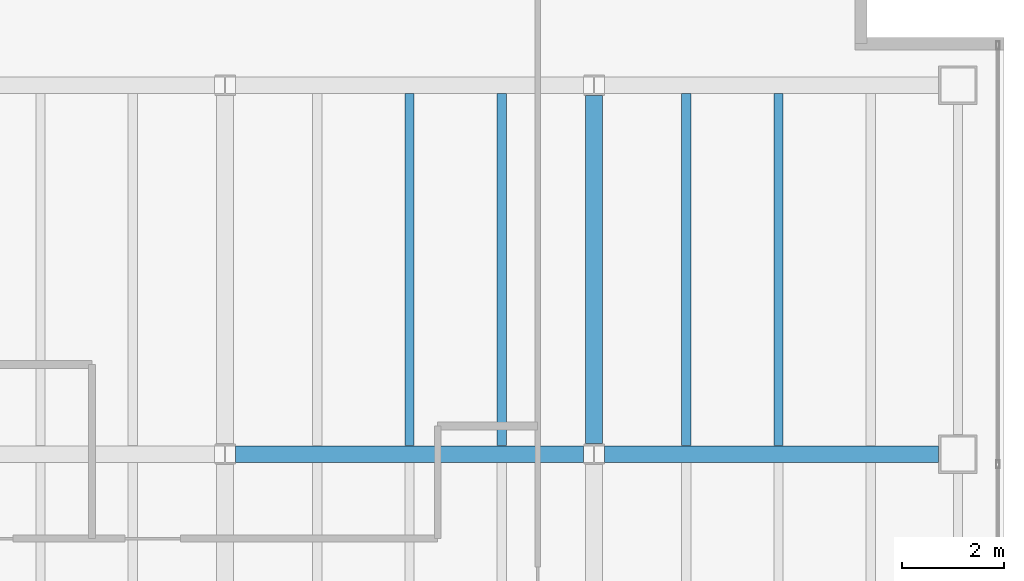
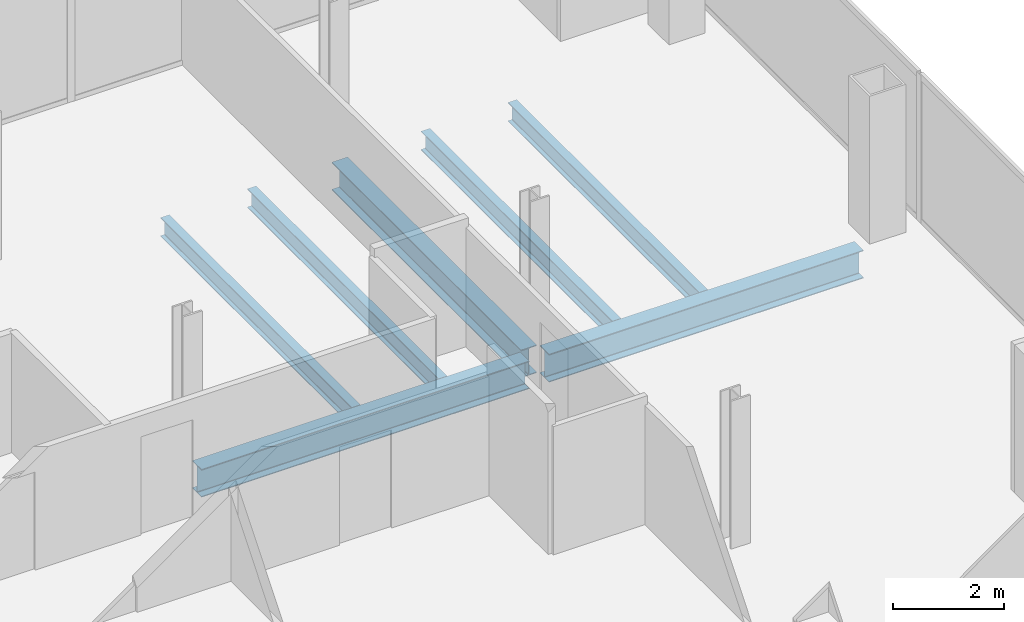
# One storey, part 13 of 23: 7 beams.
"""IFC4 building model written with IfcOpenShell, lengths in metres."""

from ifc_helpers import new_model, si_unit, direction, frame, origin, origin_2d, place, context, subcontext, project, spatial, i_section, extrude, material, material_profile, profile_set, type_object, element, save


model = new_model("IFC4")

# Units and contexts
model_context = context("Model", 3, precision=1e-05, world=origin(), true_north=direction((0.0, 1.0)))
body_context = subcontext(model_context, "Body", "Model", "MODEL_VIEW")
ifc_project = project(units=[si_unit("LENGTHUNIT", "METRE"), si_unit("AREAUNIT", "SQUARE_METRE"), si_unit("VOLUMEUNIT", "CUBIC_METRE"), si_unit("PLANEANGLEUNIT", "RADIAN"), si_unit("MASSUNIT", "GRAM", prefix="KILO")], contexts=[model_context])

# Site, building, storey
site_placement = place(None, origin())
site = spatial("IfcSite", under=ifc_project, at=site_placement, CompositionType="ELEMENT")
building_placement = place(site_placement, origin())
building = spatial("IfcBuilding", under=site, at=building_placement, Name="Cobrela Telecom Tower", CompositionType="ELEMENT")
storey_placement = place(building_placement, frame((0.0, 0.0, 222.25)))
storey = spatial("IfcBuildingStorey", under=building, at=storey_placement, Name="L57", CompositionType="ELEMENT", Elevation=222.25)

# Beams
ifc_material = material(Name="Steel ASTM A992 Grade 50", Category="steel")
ifc_material_profile_1 = material_profile(ifc_material, i_section(OverallWidth=0.324951171875, OverallDepth=0.612060546875, WebThickness=0.0126953125, FlangeThickness=0.01904296875, FilletRadius=0.014892578125, at=origin_2d()), Name="W24X104")
ifc_profile_set_1 = profile_set([ifc_material_profile_1], Name="Steel ASTM A992 Grade 50")
beam_type_1 = type_object("IfcBeamType", Name="BM-GIRD-07", PredefinedType="USERDEFINED", material=ifc_profile_set_1)
beam_1_placement = place(storey_placement, frame((29.00439453125, 14.39990234375, -0.56591796875), z_axis=(1.0, 0.0, 0.0), x_axis=(0.0, 1.0, 0.0)))
element("IfcBeam", 1, at=beam_1_placement, inside=storey, type_object=beam_type_1, Name="L57 Primary Girder X13", ObjectType="GIRDER", PredefinedType="USERDEFINED", context=body_context, shape_type="SweptSolid", body=[
    extrude(i_section(OverallWidth=0.324951171875, OverallDepth=0.612060546875, WebThickness=0.0126953125, FlangeThickness=0.01904296875, FilletRadius=0.014892578125, at=origin_2d()), origin(), (0.0, 0.0, 1.0), 6.791015625),
])
beam_2_placement = place(storey_placement, frame((36.20458984375, 14.39990234375, -0.56591796875), z_axis=(1.0, 0.0, 0.0), x_axis=(0.0, 1.0, 0.0)))
element("IfcBeam", 2, at=beam_2_placement, inside=storey, type_object=beam_type_1, Name="L57 Primary Girder X14", ObjectType="GIRDER", PredefinedType="USERDEFINED", context=body_context, shape_type="SweptSolid", body=[
    extrude(i_section(OverallWidth=0.324951171875, OverallDepth=0.612060546875, WebThickness=0.0126953125, FlangeThickness=0.01904296875, FilletRadius=0.014892578125, at=origin_2d()), origin(), (0.0, 0.0, 1.0), 6.515380859375),
])
beam_3_placement = place(storey_placement, frame((36.0, 14.6044921875, -0.56591796875), z_axis=(0.0, 1.0, 0.0), x_axis=(-1.0, 0.0, 0.0)))
element("IfcBeam", 3, at=beam_3_placement, inside=storey, type_object=beam_type_1, Name="L57 Primary Girder Y41", ObjectType="GIRDER", PredefinedType="USERDEFINED", context=body_context, shape_type="SweptSolid", body=[
    extrude(i_section(OverallWidth=0.324951171875, OverallDepth=0.612060546875, WebThickness=0.0126953125, FlangeThickness=0.01904296875, FilletRadius=0.014892578125, at=origin_2d()), origin(), (0.0, 0.0, 1.0), 6.791015625),
])
ifc_material_profile_2 = material_profile(ifc_material, i_section(OverallWidth=0.179931640625, OverallDepth=0.4169921875, WebThickness=0.010986328125, FlangeThickness=0.01806640625, FilletRadius=0.011962890625, at=origin_2d()), Name="W16X57")
ifc_profile_set_2 = profile_set([ifc_material_profile_2], Name="Steel ASTM A992 Grade 50")
beam_type_2 = type_object("IfcBeamType", Name="BM-JOIST-04", PredefinedType="JOIST", material=ifc_profile_set_2)
for number, where, z_axis, x_axis, name in (
    (4, (32.39990234375, 14.5673828125, -0.468505859375), (0.0, 1.0, 0.0), (-1.0, 0.0, 0.0), "L57 Secondary Composite Floor Beam J22"),
    (5, (34.199951171875, 14.5673828125, -0.468505859375), (0.0, 1.0, 0.0), (-1.0, 0.0, 0.0), "L57 Secondary Composite Floor Beam J24"),
    (6, (37.800048828125, 14.5673828125, -0.468505859375), (0.0, 1.0, 0.0), (-1.0, 0.0, 0.0), "L57 Secondary Composite Floor Beam J26"),
    (7, (39.60009765625, 14.5673828125, -0.468505859375), (0.0, 1.0, 0.0), (-1.0, 0.0, 0.0), "L57 Secondary Composite Floor Beam J28"),
):
    element("IfcBeam", number, at=place(storey_placement, frame(where, z_axis=z_axis, x_axis=x_axis)), inside=storey, type_object=beam_type_2, Name=name, PredefinedType="JOIST", context=body_context, shape_type="SweptSolid", body=[
        extrude(i_section(OverallWidth=0.179931640625, OverallDepth=0.4169921875, WebThickness=0.010986328125, FlangeThickness=0.01806640625, FilletRadius=0.011962890625, at=origin_2d()), origin(), (0.0, 0.0, 1.0), 6.865234375),
    ])

save(model, "model.ifc")
